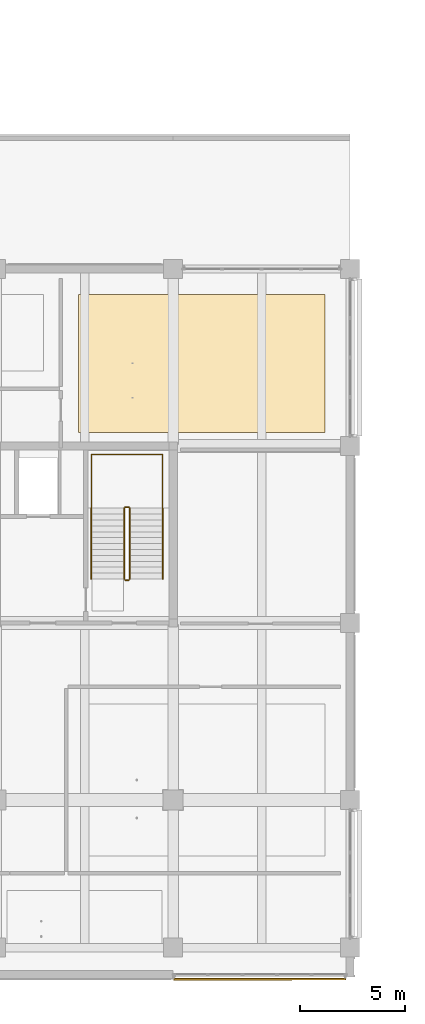
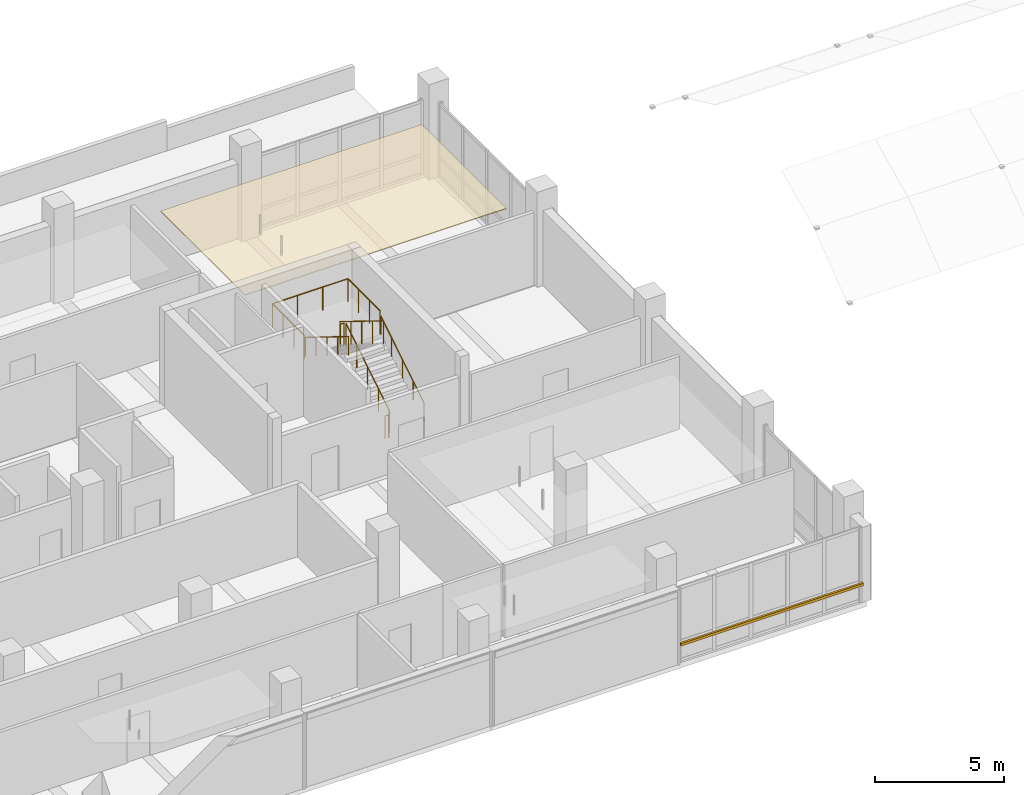
# One storey, part 53 of 59: 7 railings, 1 covering, 1 shading device.
"""IFC4 building model written with IfcOpenShell, lengths in metres."""

from ifc_helpers import new_model, si_unit, direction, frame, origin, origin_2d, place, context, subcontext, project, spatial, polyline, rectangle, circle, outline, extrude, material, layer, layer_set, type_object, element, save


model = new_model("IFC4")

# Units and contexts
model_context = context("Model", 3, precision=1e-05, world=origin(), true_north=direction((0.0, 1.0)))
body_context = subcontext(model_context, "Body", "Model", "MODEL_VIEW")
ifc_project = project(units=[si_unit("LENGTHUNIT", "METRE"), si_unit("AREAUNIT", "SQUARE_METRE"), si_unit("VOLUMEUNIT", "CUBIC_METRE"), si_unit("PLANEANGLEUNIT", "RADIAN"), si_unit("MASSUNIT", "GRAM", prefix="KILO")], contexts=[model_context])

# Site, building, storey
site_placement = place(None, origin())
site = spatial("IfcSite", under=ifc_project, at=site_placement, CompositionType="ELEMENT")
building_placement = place(site_placement, origin())
building = spatial("IfcBuilding", under=site, at=building_placement, Name="Telukmera Botanical Conservatory", CompositionType="ELEMENT")
storey_placement = place(building_placement, frame((0.0, 0.0, 15.0)))
storey = spatial("IfcBuildingStorey", under=building, at=storey_placement, Name="L03", CompositionType="ELEMENT", Elevation=15.0)

# Covering
ifc_material_1 = material(Name="Perforated gypsum acoustic ceiling")
ifc_layer_1 = layer(ifc_material_1, 0.0400390625)
ifc_layer_set_1 = layer_set([ifc_layer_1], Name="Perforated gypsum acoustic ceiling")
covering_type = type_object("IfcCoveringType", Name="COV-CEIL-40", PredefinedType="CEILING", material=ifc_layer_set_1)
covering_placement = place(storey_placement, frame((0.0, 0.0, 3.31005859375)))
element("IfcCovering", 1, at=covering_placement, inside=storey, type_object=covering_type, Name="L03 Palynology Microscopy Laboratory Suspended Acoustic Ceiling", PredefinedType="CEILING", context=body_context, shape_type="SweptSolid", body=[
    extrude(outline(polyline([(96.300048828125, 35.050048828125), (108.0, 35.050048828125), (108.0, 41.60009765625), (96.300048828125, 41.60009765625), (96.300048828125, 35.050048828125)])), origin(), (0.0, 0.0, 1.0), 0.0400390625),
])

# Shading device
ifc_material_2 = material(Name="Perforated terracotta-anodised aluminium 6063-T6", Category="masonry")
ifc_layer_2 = layer(ifc_material_2, 0.044921875)
ifc_layer_set_2 = layer_set([ifc_layer_2], Name="Perforated terracotta-anodised aluminium 6063-T6")
shading_device_type = type_object("IfcShadingDeviceType", Name="Perforated Terracotta Aluminium Monsoon Brise Soleil", PredefinedType="JALOUSIE", material=ifc_layer_set_2)
shading_device_placement = place(storey_placement, frame((104.905029296875, 9.10498046875, 0.889892578125), z_axis=(0.0, 0.0, 1.0), x_axis=(1.0, 0.0, 0.0)))
element("IfcShadingDevice", 2, at=shading_device_placement, inside=storey, type_object=shading_device_type, Name="Monsoon Shading BS01 V4:L03:S7", PredefinedType="JALOUSIE", context=body_context, shape_type="SweptSolid", body=[
    extrude(rectangle(XDim=8.166015625, YDim=0.090087890625, at=origin_2d()), origin(), (0.0, 0.0, 1.0), 0.1201171875),
])

# Railings
ifc_material_3 = material(Name="Steel S355", Category="steel")
railing_type_1 = type_object("IfcRailingType", Name="RL-GUARD-1100", PredefinedType="GUARDRAIL", material=ifc_material_3)
railing_1_placement = place(storey_placement, frame((98.739990234375, 28.090087890625, 0.173095703125)))
element("IfcRailing", 3, at=railing_1_placement, inside=storey, type_object=railing_type_1, Name="L03 ST2 stair guard 1", PredefinedType="GUARDRAIL", context=body_context, shape_type="SweptSolid", body=[
    extrude(circle(Radius=0.02392578125, at=origin_2d()), frame((0.0, 0.0, 1.076171875), z_axis=(0.0, 0.850606129759, 0.525803396734), x_axis=(-1.0, 0.0, 0.0)), (0.0, 0.0, 1.0), 3.949951171875),
    extrude(circle(Radius=0.02099609375, at=origin_2d()), origin(), (0.0, 0.0, 1.0), 1.052001953125),
    extrude(circle(Radius=0.02099609375, at=origin_2d()), frame((0.0, 0.83984375, 0.519287109375)), (0.0, 0.0, 1.0), 1.052001953125),
    extrude(circle(Radius=0.02099609375, at=origin_2d()), frame((0.0, 1.679931640625, 1.03857421875)), (0.0, 0.0, 1.0), 1.052001953125),
    extrude(circle(Radius=0.02099609375, at=origin_2d()), frame((0.0, 2.52001953125, 1.5576171875)), (0.0, 0.0, 1.0), 1.052001953125),
    extrude(circle(Radius=0.02099609375, at=origin_2d()), frame((0.0, 3.35986328125, 2.076904296875)), (0.0, 0.0, 1.0), 1.052001953125),
])
railing_2_placement = place(storey_placement, frame((98.68994140625, 31.5, 2.25)))
element("IfcRailing", 4, at=railing_2_placement, inside=storey, type_object=railing_type_1, Name="L03 ST2 stair guard 2", PredefinedType="GUARDRAIL", context=body_context, shape_type="SweptSolid", body=[
    extrude(circle(Radius=0.02392578125, at=origin_2d()), frame((0.0, 0.0, 1.076171875), z_axis=(-1.0, 0.0, 0.0), x_axis=(0.0, -1.0, 0.0)), (0.0, 0.0, 1.0), 0.159912109375),
    extrude(circle(Radius=0.02099609375, at=origin_2d()), origin(), (0.0, 0.0, 1.0), 1.052001953125),
    extrude(circle(Radius=0.02099609375, at=origin_2d()), frame((-0.159912109375, 0.0, 0.0)), (0.0, 0.0, 1.0), 1.052001953125),
])
railing_3_placement = place(storey_placement, frame((98.47998046875, 31.449951171875, 2.423095703125)))
element("IfcRailing", 5, at=railing_3_placement, inside=storey, type_object=railing_type_1, Name="L03 ST2 stair guard 3", PredefinedType="GUARDRAIL", context=body_context, shape_type="SweptSolid", body=[
    extrude(circle(Radius=0.02392578125, at=origin_2d()), frame((0.0, 0.0, 1.076171875), z_axis=(0.0, -0.850606129759, 0.525803396734), x_axis=(1.0, 0.0, 0.0)), (0.0, 0.0, 1.0), 3.949951171875),
    extrude(circle(Radius=0.02099609375, at=origin_2d()), origin(), (0.0, 0.0, 1.0), 1.052001953125),
    extrude(circle(Radius=0.02099609375, at=origin_2d()), frame((0.0, -0.83984375, 0.519287109375)), (0.0, 0.0, 1.0), 1.052001953125),
    extrude(circle(Radius=0.02099609375, at=origin_2d()), frame((0.0, -1.679931640625, 1.03857421875)), (0.0, 0.0, 1.0), 1.052001953125),
    extrude(circle(Radius=0.02099609375, at=origin_2d()), frame((0.0, -2.52001953125, 1.5576171875)), (0.0, 0.0, 1.0), 1.052001953125),
    extrude(circle(Radius=0.02099609375, at=origin_2d()), frame((0.0, -3.35986328125, 2.076904296875)), (0.0, 0.0, 1.0), 1.052001953125),
])
railing_4_placement = place(storey_placement, frame((98.68994140625, 28.0400390625, 0.0)))
element("IfcRailing", 6, at=railing_4_placement, inside=storey, type_object=railing_type_1, Name="L03 ST2 stair guard 4", PredefinedType="GUARDRAIL", context=body_context, shape_type="SweptSolid", body=[
    extrude(circle(Radius=0.02392578125, at=origin_2d()), frame((0.0, 0.0, 1.076171875), z_axis=(-1.0, 0.0, 0.0), x_axis=(0.0, -1.0, 0.0)), (0.0, 0.0, 1.0), 0.159912109375),
    extrude(circle(Radius=0.02099609375, at=origin_2d()), origin(), (0.0, 0.0, 1.0), 1.052001953125),
    extrude(circle(Radius=0.02099609375, at=origin_2d()), frame((-0.159912109375, 0.0, 0.0)), (0.0, 0.0, 1.0), 1.052001953125),
])
railing_5_placement = place(storey_placement, frame((100.300048828125, 31.5, 2.25)))
element("IfcRailing", 7, at=railing_5_placement, inside=storey, type_object=railing_type_1, Name="L03 ST2 half-landing perimeter guard 1", PredefinedType="GUARDRAIL", context=body_context, shape_type="SweptSolid", body=[
    extrude(circle(Radius=0.02392578125, at=origin_2d()), frame((0.0, 0.0, 1.09619140625), z_axis=(0.0, 1.0, 0.0), x_axis=(-1.0, 0.0, 0.0)), (0.0, 0.0, 1.0), 2.5),
    extrude(circle(Radius=0.02392578125, at=origin_2d()), frame((0.0, 2.5, 1.09619140625), z_axis=(-1.0, 0.0, 0.0), x_axis=(0.0, -1.0, 0.0)), (0.0, 0.0, 1.0), 3.380126953125),
    extrude(circle(Radius=0.02392578125, at=origin_2d()), frame((-3.380126953125, 2.5, 1.09619140625), z_axis=(0.0, -1.0, 0.0), x_axis=(1.0, 0.0, 0.0)), (0.0, 0.0, 1.0), 2.5),
    extrude(circle(Radius=0.02099609375, at=origin_2d()), origin(), (0.0, 0.0, 1.0), 1.072021484375),
    extrude(circle(Radius=0.02099609375, at=origin_2d()), frame((0.0, 0.833251953125, 0.0)), (0.0, 0.0, 1.0), 1.072021484375),
    extrude(circle(Radius=0.02099609375, at=origin_2d()), frame((0.0, 1.666748046875, 0.0)), (0.0, 0.0, 1.0), 1.072021484375),
    extrude(circle(Radius=0.02099609375, at=origin_2d()), frame((0.0, 2.5, 0.0)), (0.0, 0.0, 1.0), 1.072021484375),
    extrude(circle(Radius=0.02099609375, at=origin_2d()), frame((-1.126708984375, 2.5, 0.0)), (0.0, 0.0, 1.0), 1.072021484375),
    extrude(circle(Radius=0.02099609375, at=origin_2d()), frame((-2.25341796875, 2.5, 0.0)), (0.0, 0.0, 1.0), 1.072021484375),
    extrude(circle(Radius=0.02099609375, at=origin_2d()), frame((-3.380126953125, 2.5, 0.0)), (0.0, 0.0, 1.0), 1.072021484375),
    extrude(circle(Radius=0.02099609375, at=origin_2d()), frame((-3.380126953125, 1.666748046875, 0.0)), (0.0, 0.0, 1.0), 1.072021484375),
    extrude(circle(Radius=0.02099609375, at=origin_2d()), frame((-3.380126953125, 0.833251953125, 0.0)), (0.0, 0.0, 1.0), 1.072021484375),
    extrude(circle(Radius=0.02099609375, at=origin_2d()), frame((-3.380126953125, 0.0, 0.0)), (0.0, 0.0, 1.0), 1.072021484375),
])
ifc_material_4 = material(Name="Stainless steel 316", Category="steel")
railing_type_2 = type_object("IfcRailingType", Name="RL-HAND-900", PredefinedType="HANDRAIL", material=ifc_material_4)
railing_6_placement = place(storey_placement, frame((100.300048828125, 28.090087890625, 0.173095703125)))
element("IfcRailing", 8, at=railing_6_placement, inside=storey, type_object=railing_type_2, Name="L03 ST2 stair handrail 1", PredefinedType="HANDRAIL", context=body_context, shape_type="SweptSolid", body=[
    extrude(circle(Radius=0.02392578125, at=origin_2d()), frame((0.0, 0.0, 0.8759765625), z_axis=(0.0, 0.850606129759, 0.525803396734), x_axis=(-1.0, 0.0, 0.0)), (0.0, 0.0, 1.0), 3.949951171875),
    extrude(circle(Radius=0.02099609375, at=origin_2d()), origin(), (0.0, 0.0, 1.0), 0.851806640625),
    extrude(circle(Radius=0.02099609375, at=origin_2d()), frame((0.0, 0.83984375, 0.519287109375)), (0.0, 0.0, 1.0), 0.851806640625),
    extrude(circle(Radius=0.02099609375, at=origin_2d()), frame((0.0, 1.679931640625, 1.03857421875)), (0.0, 0.0, 1.0), 0.851806640625),
    extrude(circle(Radius=0.02099609375, at=origin_2d()), frame((0.0, 2.52001953125, 1.5576171875)), (0.0, 0.0, 1.0), 0.851806640625),
    extrude(circle(Radius=0.02099609375, at=origin_2d()), frame((0.0, 3.35986328125, 2.076904296875)), (0.0, 0.0, 1.0), 0.851806640625),
])
railing_7_placement = place(storey_placement, frame((96.919921875, 31.449951171875, 2.423095703125)))
element("IfcRailing", 9, at=railing_7_placement, inside=storey, type_object=railing_type_2, Name="L03 ST2 stair handrail 2", PredefinedType="HANDRAIL", context=body_context, shape_type="SweptSolid", body=[
    extrude(circle(Radius=0.02392578125, at=origin_2d()), frame((0.0, 0.0, 0.8759765625), z_axis=(0.0, -0.850606129759, 0.525803396734), x_axis=(1.0, 0.0, 0.0)), (0.0, 0.0, 1.0), 3.949951171875),
    extrude(circle(Radius=0.02099609375, at=origin_2d()), origin(), (0.0, 0.0, 1.0), 0.851806640625),
    extrude(circle(Radius=0.02099609375, at=origin_2d()), frame((0.0, -0.83984375, 0.519287109375)), (0.0, 0.0, 1.0), 0.851806640625),
    extrude(circle(Radius=0.02099609375, at=origin_2d()), frame((0.0, -1.679931640625, 1.03857421875)), (0.0, 0.0, 1.0), 0.851806640625),
    extrude(circle(Radius=0.02099609375, at=origin_2d()), frame((0.0, -2.52001953125, 1.5576171875)), (0.0, 0.0, 1.0), 0.851806640625),
    extrude(circle(Radius=0.02099609375, at=origin_2d()), frame((0.0, -3.35986328125, 2.076904296875)), (0.0, 0.0, 1.0), 0.851806640625),
])

save(model, "model.ifc")
